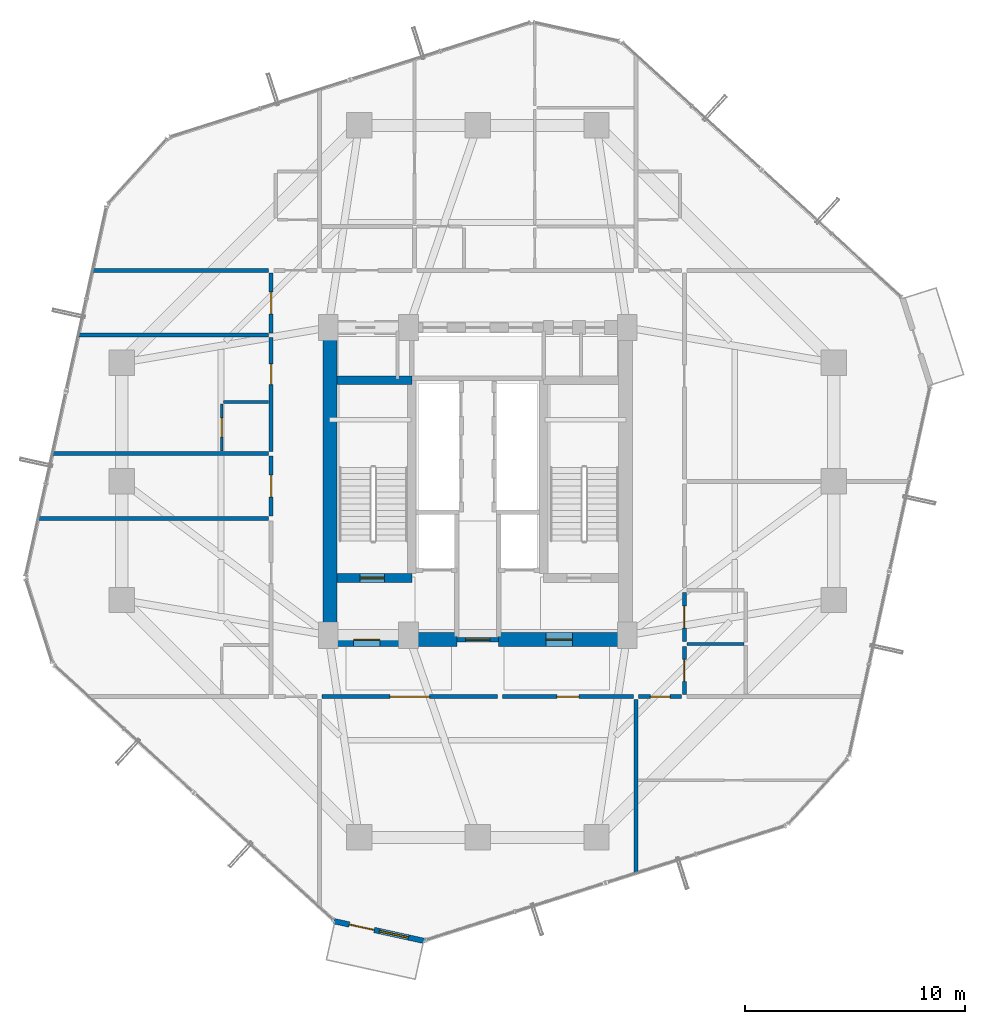
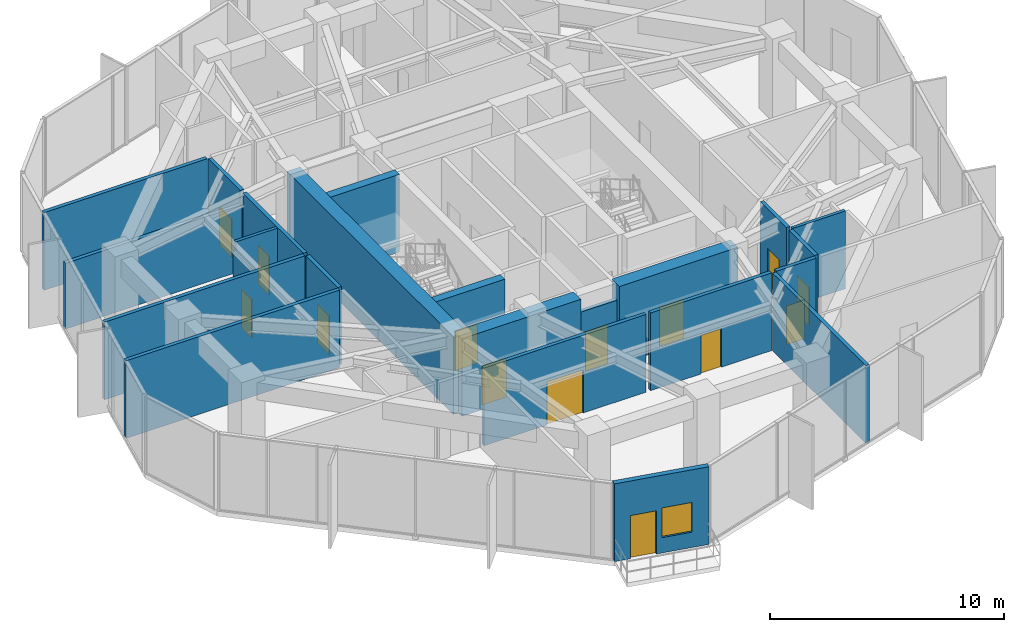
# One storey, part 23 of 28: 23 walls, 14 doors, 1 window, 15 openings.
"""IFC4 building model written with IfcOpenShell, lengths in metres."""

from ifc_helpers import new_model, si_unit, direction, frame, frame_2d, origin, place, context, subcontext, project, spatial, rectangle, extrude, source, transform, mapped, material, layer, layer_set, type_object, element, fill, save


model = new_model("IFC4")

# Units and contexts
model_context = context("Model", 3, precision=1e-05, world=origin(), true_north=direction((0.0, 1.0)))
body_context = subcontext(model_context, "Body", "Model", "MODEL_VIEW")
ifc_project = project(units=[si_unit("LENGTHUNIT", "METRE"), si_unit("AREAUNIT", "SQUARE_METRE"), si_unit("VOLUMEUNIT", "CUBIC_METRE"), si_unit("PLANEANGLEUNIT", "RADIAN"), si_unit("MASSUNIT", "GRAM", prefix="KILO")], contexts=[model_context])

# Site, building, storey
site_placement = place(None, origin())
site = spatial("IfcSite", under=ifc_project, at=site_placement, CompositionType="ELEMENT")
building_placement = place(site_placement, origin())
building = spatial("IfcBuilding", under=site, at=building_placement, Name="Veraguas Prism Commons", CompositionType="ELEMENT")
storey_placement = place(building_placement, frame((0.0, 0.0, 85.14990234375)))
storey = spatial("IfcBuildingStorey", under=building, at=storey_placement, Name="L23", CompositionType="ELEMENT", Elevation=85.14990234375)

# Wall, opening, door
ifc_material_1 = material(Name="Concrete C50/60", Category="concrete")
ifc_layer_1 = layer(ifc_material_1, 0.39990234375, Name="Clinic and Mid Core Shear Wall RC 400", Category="concrete")
ifc_layer_set_1 = layer_set([ifc_layer_1], Name="Concrete C50/60")
wall_type_1 = type_object("IfcWallType", Name="Clinic and Mid Core Shear Wall RC 400", PredefinedType="SHEAR", material=ifc_layer_set_1)
wall_1_placement = place(storey_placement, frame((17.60009765625, 19.60009765625, 0.0), z_axis=(0.0, 0.0, 1.0), x_axis=(1.0, 0.0, 0.0)))
wall_1 = element("IfcWall", 1, at=wall_1_placement, inside=storey, type_object=wall_type_1, Name="Stair ST-01 South Shear Wall L23", PredefinedType="SHEAR", context=body_context, shape_type="SweptSolid", body=[
    extrude(rectangle(XDim=3.39990234375, YDim=0.39990234375, at=frame_2d((1.699951171875, 0.0))), origin(), (0.0, 0.0, 1.0), 4.050048828125),
])
opening_1_placement = place(wall_1_placement, frame((1.050048828125, 0.0, 0.0)))
opening_1 = element("IfcOpeningElement", 2, at=opening_1_placement, cuts=wall_1, Name="Opening DR-05", PredefinedType="OPENING", context=body_context, shape_type="SweptSolid", body=[
    extrude(rectangle(XDim=1.10009765625, YDim=2.030029296875, at=frame_2d((0.550048828125, 1.01513671875))), frame((0.0, 0.2099609375, 0.0), z_axis=(0.0, -1.0, 0.0), x_axis=(1.0, 0.0, 0.0)), (0.0, 0.0, 1.0), 0.419921875),
])
ifc_material_2 = material(Name="Steel fire-rated door assembly", Category="steel")
door_type_1 = type_object("IfcDoorType", Name="Protected Stair and Refuge Fire Door 1100x2030", OperationType="NOTDEFINED", PredefinedType="DOOR", material=ifc_material_2)
shared_shape_1 = source(origin(), body_context, "Body", "SweptSolid", [
    extrude(rectangle(XDim=1.10009765625, YDim=2.030029296875, at=frame_2d((0.550048828125, 1.01513671875))), frame((0.0, 0.02490234375, 0.0), z_axis=(0.0, -1.0, 0.0), x_axis=(1.0, 0.0, 0.0)), (0.0, 0.0, 1.0), 0.050048828125),
])
door_1_placement = place(opening_1_placement, origin())
door_1 = element("IfcDoor", 3, at=door_1_placement, inside=storey, type_object=door_type_1, Name="Stair ST-01 Enclosure Door L23", OperationType="SINGLE_SWING_LEFT", OverallHeight=2.030029296875, OverallWidth=1.10009765625, PredefinedType="DOOR", context=body_context, shape_type="MappedRepresentation", body=[
    mapped(shared_shape_1, transform((0.0, 0.0, 0.0), scale=1.0)),
])
fill(opening_1, door_1)

# Walls
wall_2_placement = place(storey_placement, frame((17.60009765625, 28.60009765625, 0.0), z_axis=(0.0, 0.0, 1.0), x_axis=(1.0, 0.0, 0.0)))
element("IfcWall", 4, at=wall_2_placement, inside=storey, type_object=wall_type_1, Name="Stair ST-01 North Shear Wall L23", PredefinedType="SHEAR", context=body_context, shape_type="SweptSolid", body=[
    extrude(rectangle(XDim=3.39990234375, YDim=0.39990234375, at=frame_2d((1.699951171875, 0.0))), origin(), (0.0, 0.0, 1.0), 4.050048828125),
])
ifc_material_3 = material(Name="Concrete C55/67", Category="concrete")
ifc_layer_2 = layer(ifc_material_3, 0.64990234375, Name="Core Outer Shear Wall Mid RC 650", Category="concrete")
ifc_layer_set_2 = layer_set([ifc_layer_2], Name="Concrete C55/67")
wall_type_2 = type_object("IfcWallType", Name="Core Outer Shear Wall Mid RC 650", PredefinedType="SHEAR", material=ifc_layer_set_2)
wall_3_placement = place(storey_placement, frame((17.27490234375, 16.800048828125, 0.0), z_axis=(0.0, 0.0, 1.0), x_axis=(0.0, 1.0, 0.0)))
element("IfcWall", 5, at=wall_3_placement, inside=storey, type_object=wall_type_2, Name="Central Core West Shear Wall L23", PredefinedType="SHEAR", context=body_context, shape_type="SweptSolid", body=[
    extrude(rectangle(XDim=14.199951171875, YDim=0.64990234375, at=frame_2d((7.10009765625, 0.0))), origin(), (0.0, 0.0, 1.0), 4.050048828125),
])

# Wall, opening, door
wall_4_placement = place(storey_placement, frame((17.199951171875, 16.800048828125, 0.0), z_axis=(0.0, 0.0, 1.0), x_axis=(1.0, 0.0, 0.0)))
wall_4 = element("IfcWall", 6, at=wall_4_placement, inside=storey, type_object=wall_type_2, Name="Central Core South-West Shear Wall L23", PredefinedType="SHEAR", context=body_context, shape_type="SweptSolid", body=[
    extrude(rectangle(XDim=5.85009765625, YDim=0.64990234375, at=frame_2d((2.925048828125, 0.0))), origin(), (0.0, 0.0, 1.0), 4.050048828125),
])
opening_2_placement = place(wall_4_placement, frame((1.14990234375, 0.0, 0.0)))
opening_2 = element("IfcOpeningElement", 7, at=opening_2_placement, cuts=wall_4, Name="Opening DR-06", PredefinedType="OPENING", context=body_context, shape_type="SweptSolid", body=[
    extrude(rectangle(XDim=1.199951171875, YDim=2.030029296875, at=frame_2d((0.60009765625, 1.01513671875))), frame((0.0, 0.3349609375, 0.0), z_axis=(0.0, -1.0, 0.0), x_axis=(1.0, 0.0, 0.0)), (0.0, 0.0, 1.0), 0.669921875),
])
door_type_2 = type_object("IfcDoorType", Name="Firefighting Lobby Smoke Door 1200x2030", OperationType="NOTDEFINED", PredefinedType="DOOR", material=ifc_material_2)
shared_shape_2 = source(origin(), body_context, "Body", "SweptSolid", [
    extrude(rectangle(XDim=1.199951171875, YDim=2.030029296875, at=frame_2d((0.60009765625, 1.01513671875))), frame((0.0, 0.02490234375, 0.0), z_axis=(0.0, -1.0, 0.0), x_axis=(1.0, 0.0, 0.0)), (0.0, 0.0, 1.0), 0.050048828125),
])
door_2_placement = place(opening_2_placement, origin())
door_2 = element("IfcDoor", 8, at=door_2_placement, inside=storey, type_object=door_type_2, Name="West FF Lobby Door L23", OperationType="SINGLE_SWING_LEFT", OverallHeight=2.030029296875, OverallWidth=1.199951171875, PredefinedType="DOOR", context=body_context, shape_type="MappedRepresentation", body=[
    mapped(shared_shape_2, transform((0.0, 0.0, 0.0), scale=1.0)),
])
fill(opening_2, door_2)

wall_5_placement = place(storey_placement, frame((24.949951171875, 16.800048828125, 0.0), z_axis=(0.0, 0.0, 1.0), x_axis=(1.0, 0.0, 0.0)))
wall_5 = element("IfcWall", 9, at=wall_5_placement, inside=storey, type_object=wall_type_2, Name="Central Core South-East Shear Wall L23", PredefinedType="SHEAR", context=body_context, shape_type="SweptSolid", body=[
    extrude(rectangle(XDim=5.85009765625, YDim=0.64990234375, at=frame_2d((2.925048828125, 0.0))), origin(), (0.0, 0.0, 1.0), 4.050048828125),
])
opening_3_placement = place(wall_5_placement, frame((2.14990234375, 0.0, 0.0)))
opening_3 = element("IfcOpeningElement", 10, at=opening_3_placement, cuts=wall_5, Name="Opening DR-06", PredefinedType="OPENING", context=body_context, shape_type="SweptSolid", body=[
    extrude(rectangle(XDim=1.199951171875, YDim=2.030029296875, at=frame_2d((0.60009765625, 1.01513671875))), frame((0.0, 0.3349609375, 0.0), z_axis=(0.0, -1.0, 0.0), x_axis=(1.0, 0.0, 0.0)), (0.0, 0.0, 1.0), 0.669921875),
])
door_3_placement = place(opening_3_placement, origin())
door_3 = element("IfcDoor", 11, at=door_3_placement, inside=storey, type_object=door_type_2, Name="East FF Lobby Door L23", OperationType="SINGLE_SWING_LEFT", OverallHeight=2.030029296875, OverallWidth=1.199951171875, PredefinedType="DOOR", context=body_context, shape_type="MappedRepresentation", body=[
    mapped(shared_shape_2, transform((0.0, 0.0, 0.0), scale=1.0)),
])
fill(opening_3, door_3)

# Wall
ifc_material_4 = material(Name="Autoclaved aerated masonry block 10 MPa", Category="masonry")
ifc_layer_3 = layer(ifc_material_4, 0.179931640625, Name="Corridor and Inter-Tenancy Partition 180", Category="masonry")
ifc_layer_set_3 = layer_set([ifc_layer_3], Name="Autoclaved aerated masonry block 10 MPa")
wall_type_3 = type_object("IfcWallType", Name="Corridor and Inter-Tenancy Partition 180", PredefinedType="PARTITIONING", material=ifc_layer_set_3)
wall_6_placement = place(storey_placement, frame((31.199951171875, 14.080078125, 0.0), z_axis=(0.0, 0.0, 1.0), x_axis=(0.0, -1.0, 0.0)))
element("IfcWall", 12, at=wall_6_placement, inside=storey, type_object=wall_type_3, Name="WL-L23-PT002", PredefinedType="PARTITIONING", context=body_context, shape_type="SweptSolid", body=[
    extrude(rectangle(XDim=7.950927734375, YDim=0.179931640625, at=frame_2d((3.9755859375, 0.0))), origin(), (0.0, 0.0, 1.0), 4.050048828125),
])

# Wall, opening, door
wall_7_placement = place(storey_placement, frame((16.909912109375, 14.199951171875, 0.0), z_axis=(0.0, 0.0, 1.0), x_axis=(1.0, 0.0, 0.0)))
wall_7 = element("IfcWall", 13, at=wall_7_placement, inside=storey, type_object=wall_type_3, Name="WL-L23-PT003", PredefinedType="PARTITIONING", context=body_context, shape_type="SweptSolid", body=[
    extrude(rectangle(XDim=7.988037109375, YDim=0.179931640625, at=frame_2d((3.994140625, 0.0))), origin(), (0.0, 0.0, 1.0), 4.050048828125),
])
opening_4_placement = place(wall_7_placement, frame((3.093994140625, 0.0, 0.0)))
opening_4 = element("IfcOpeningElement", 14, at=opening_4_placement, cuts=wall_7, Name="Opening DR-07", PredefinedType="OPENING", context=body_context, shape_type="SweptSolid", body=[
    extrude(rectangle(XDim=1.800048828125, YDim=2.25, at=frame_2d((0.89990234375, 1.125))), frame((0.0, 0.099853515625, 0.0), z_axis=(0.0, -1.0, 0.0), x_axis=(1.0, 0.0, 0.0)), (0.0, 0.0, 1.0), 0.199951171875),
])
door_type_3 = type_object("IfcDoorType", Name="Corridor Double Fire Door 1800x2250", OperationType="NOTDEFINED", PredefinedType="DOOR", material=ifc_material_2)
shared_shape_3 = source(origin(), body_context, "Body", "SweptSolid", [
    extrude(rectangle(XDim=1.800048828125, YDim=2.25, at=frame_2d((0.89990234375, 1.125))), frame((0.0, 0.02490234375, 0.0), z_axis=(0.0, -1.0, 0.0), x_axis=(1.0, 0.0, 0.0)), (0.0, 0.0, 1.0), 0.050048828125),
])
door_4_placement = place(opening_4_placement, origin())
door_4 = element("IfcDoor", 15, at=door_4_placement, inside=storey, type_object=door_type_3, Name="Sky Lobby and Observation Concourse L23 Door 1", OperationType="SINGLE_SWING_LEFT", OverallHeight=2.25, OverallWidth=1.800048828125, PredefinedType="DOOR", context=body_context, shape_type="MappedRepresentation", body=[
    mapped(shared_shape_3, transform((0.0, 0.0, 0.0), scale=1.0)),
])
fill(opening_4, door_4)

wall_8_placement = place(storey_placement, frame((25.117919921875, 14.199951171875, 0.0), z_axis=(0.0, 0.0, 1.0), x_axis=(1.0, 0.0, 0.0)))
wall_8 = element("IfcWall", 16, at=wall_8_placement, inside=storey, type_object=wall_type_3, Name="WL-L23-PT004", PredefinedType="PARTITIONING", context=body_context, shape_type="SweptSolid", body=[
    extrude(rectangle(XDim=5.97216796875, YDim=0.179931640625, at=frame_2d((2.986083984375, 0.0))), origin(), (0.0, 0.0, 1.0), 4.050048828125),
])
opening_5_placement = place(wall_8_placement, frame((2.486083984375, 0.0, 0.0)))
opening_5 = element("IfcOpeningElement", 17, at=opening_5_placement, cuts=wall_8, Name="Opening DR-13", PredefinedType="OPENING", context=body_context, shape_type="SweptSolid", body=[
    extrude(rectangle(XDim=1.0, YDim=2.010009765625, at=frame_2d((0.5, 1.0048828125))), frame((0.0, 0.099853515625, 0.0), z_axis=(0.0, -1.0, 0.0), x_axis=(1.0, 0.0, 0.0)), (0.0, 0.0, 1.0), 0.199951171875),
])
door_type_4 = type_object("IfcDoorType", Name="Core Accessible WC and Clinic Fire Door 1000x2010", OperationType="NOTDEFINED", PredefinedType="DOOR", material=ifc_material_2)
shared_shape_4 = source(origin(), body_context, "Body", "SweptSolid", [
    extrude(rectangle(XDim=1.0, YDim=2.010009765625, at=frame_2d((0.5, 1.0048828125))), frame((0.0, 0.02490234375, 0.0), z_axis=(0.0, -1.0, 0.0), x_axis=(1.0, 0.0, 0.0)), (0.0, 0.0, 1.0), 0.050048828125),
])
door_5_placement = place(opening_5_placement, origin())
door_5 = element("IfcDoor", 18, at=door_5_placement, inside=storey, type_object=door_type_4, Name="Sky Lobby and Observation Concourse L23 Door 2", OperationType="SINGLE_SWING_RIGHT", OverallHeight=2.010009765625, OverallWidth=1.0, PredefinedType="DOOR", context=body_context, shape_type="MappedRepresentation", body=[
    mapped(shared_shape_4, transform((0.0, 0.0, 0.0), scale=1.0)),
])
fill(opening_5, door_5)

# Wall
wall_9_placement = place(storey_placement, frame((14.47998046875, 33.60009765625, 0.0), z_axis=(0.0, 0.0, 1.0), x_axis=(-1.0, 0.0, 0.0)))
element("IfcWall", 19, at=wall_9_placement, inside=storey, type_object=wall_type_3, Name="WL-L23-PT020", PredefinedType="PARTITIONING", context=body_context, shape_type="SweptSolid", body=[
    extrude(rectangle(XDim=8.044677734375, YDim=0.179931640625, at=frame_2d((4.0224609375, 0.0))), origin(), (0.0, 0.0, 1.0), 4.050048828125),
])

# Wall, opening, door
wall_10_placement = place(storey_placement, frame((14.60009765625, 22.41796875, 0.0), z_axis=(0.0, 0.0, 1.0), x_axis=(0.0, 1.0, 0.0)))
wall_10 = element("IfcWall", 20, at=wall_10_placement, inside=storey, type_object=wall_type_3, Name="WL-L23-PT021", PredefinedType="PARTITIONING", context=body_context, shape_type="SweptSolid", body=[
    extrude(rectangle(XDim=2.72998046875, YDim=0.179931640625, at=frame_2d((1.364990234375, 0.0))), origin(), (0.0, 0.0, 1.0), 4.050048828125),
])
opening_6_placement = place(wall_10_placement, frame((0.864990234375, 0.0, 0.0)))
opening_6 = element("IfcOpeningElement", 21, at=opening_6_placement, cuts=wall_10, Name="Opening DR-13", PredefinedType="OPENING", context=body_context, shape_type="SweptSolid", body=[
    extrude(rectangle(XDim=1.0, YDim=2.010009765625, at=frame_2d((0.5, 1.0048828125))), frame((0.0, 0.099853515625, 0.0), z_axis=(0.0, -1.0, 0.0), x_axis=(1.0, 0.0, 0.0)), (0.0, 0.0, 1.0), 0.199951171875),
])
door_6_placement = place(opening_6_placement, origin())
door_6 = element("IfcDoor", 22, at=door_6_placement, inside=storey, type_object=door_type_4, Name="Quiet Study W Door", OperationType="SINGLE_SWING_RIGHT", OverallHeight=2.010009765625, OverallWidth=1.0, PredefinedType="DOOR", context=body_context, shape_type="MappedRepresentation", body=[
    mapped(shared_shape_4, transform((0.0, 0.0, 0.0), scale=1.0)),
])
fill(opening_6, door_6)

# Walls
wall_11_placement = place(storey_placement, frame((14.47998046875, 22.30810546875, 0.0), z_axis=(0.0, 0.0, 1.0), x_axis=(-1.0, 0.0, 0.0)))
element("IfcWall", 23, at=wall_11_placement, inside=storey, type_object=wall_type_3, Name="WL-L23-PT022", PredefinedType="PARTITIONING", context=body_context, shape_type="SweptSolid", body=[
    extrude(rectangle(XDim=10.51904296875, YDim=0.179931640625, at=frame_2d((5.259521484375, 0.0))), origin(), (0.0, 0.0, 1.0), 4.050048828125),
])
wall_12_placement = place(storey_placement, frame((14.47998046875, 25.258056640625, 0.0), z_axis=(0.0, 0.0, 1.0), x_axis=(-1.0, 0.0, 0.0)))
element("IfcWall", 24, at=wall_12_placement, inside=storey, type_object=wall_type_3, Name="WL-L23-PT026", PredefinedType="PARTITIONING", context=body_context, shape_type="SweptSolid", body=[
    extrude(rectangle(XDim=9.87255859375, YDim=0.179931640625, at=frame_2d((4.936279296875, 0.0))), origin(), (0.0, 0.0, 1.0), 4.050048828125),
])

# Wall, opening, door
wall_13_placement = place(storey_placement, frame((14.60009765625, 30.760009765625, 0.0), z_axis=(0.0, 0.0, 1.0), x_axis=(0.0, 1.0, 0.0)))
wall_13 = element("IfcWall", 25, at=wall_13_placement, inside=storey, type_object=wall_type_3, Name="WL-L23-PT027", PredefinedType="PARTITIONING", context=body_context, shape_type="SweptSolid", body=[
    extrude(rectangle(XDim=2.72998046875, YDim=0.179931640625, at=frame_2d((1.364990234375, 0.0))), origin(), (0.0, 0.0, 1.0), 4.050048828125),
])
opening_7_placement = place(wall_13_placement, frame((0.864990234375, 0.0, 0.0)))
opening_7 = element("IfcOpeningElement", 26, at=opening_7_placement, cuts=wall_13, Name="Opening DR-13", PredefinedType="OPENING", context=body_context, shape_type="SweptSolid", body=[
    extrude(rectangle(XDim=1.0, YDim=2.010009765625, at=frame_2d((0.5, 1.0048828125))), frame((0.0, 0.099853515625, 0.0), z_axis=(0.0, -1.0, 0.0), x_axis=(1.0, 0.0, 0.0)), (0.0, 0.0, 1.0), 0.199951171875),
])
door_7_placement = place(opening_7_placement, origin())
door_7 = element("IfcDoor", 27, at=door_7_placement, inside=storey, type_object=door_type_4, Name="Quiet Study W Door", OperationType="SINGLE_SWING_LEFT", OverallHeight=2.010009765625, OverallWidth=1.0, PredefinedType="DOOR", context=body_context, shape_type="MappedRepresentation", body=[
    mapped(shared_shape_4, transform((0.0, 0.0, 0.0), scale=1.0)),
])
fill(opening_7, door_7)

# Wall
wall_14_placement = place(storey_placement, frame((14.47998046875, 30.64990234375, 0.0), z_axis=(0.0, 0.0, 1.0), x_axis=(-1.0, 0.0, 0.0)))
element("IfcWall", 28, at=wall_14_placement, inside=storey, type_object=wall_type_3, Name="WL-L23-PT028", PredefinedType="PARTITIONING", context=body_context, shape_type="SweptSolid", body=[
    extrude(rectangle(XDim=8.691162109375, YDim=0.179931640625, at=frame_2d((4.345703125, 0.0))), origin(), (0.0, 0.0, 1.0), 3.427978515625),
])

# Wall, opening, door
wall_15_placement = place(storey_placement, frame((14.60009765625, 25.367919921875, 0.0), z_axis=(0.0, 0.0, 1.0), x_axis=(0.0, 1.0, 0.0)))
wall_15 = element("IfcWall", 29, at=wall_15_placement, inside=storey, type_object=wall_type_3, Name="WL-L23-PT029", PredefinedType="PARTITIONING", context=body_context, shape_type="SweptSolid", body=[
    extrude(rectangle(XDim=5.172119140625, YDim=0.179931640625, at=frame_2d((2.5859375, 0.0))), origin(), (0.0, 0.0, 1.0), 4.050048828125),
])
opening_8_placement = place(wall_15_placement, frame((3.0283203125, 0.0, 0.0)))
opening_8 = element("IfcOpeningElement", 30, at=opening_8_placement, cuts=wall_15, Name="Opening DR-01", PredefinedType="OPENING", context=body_context, shape_type="SweptSolid", body=[
    extrude(rectangle(XDim=0.949951171875, YDim=2.02001953125, at=frame_2d((0.47509765625, 1.010009765625))), frame((0.0, 0.099853515625, 0.0), z_axis=(0.0, -1.0, 0.0), x_axis=(1.0, 0.0, 0.0)), (0.0, 0.0, 1.0), 0.199951171875),
])
ifc_material_5 = material(Name="Anodised aluminium EN AW-6063 T6", Category="aluminium")
door_type_5 = type_object("IfcDoorType", Name="Apartment Entrance Fire Door 950x2020", OperationType="NOTDEFINED", PredefinedType="DOOR", material=ifc_material_5)
shared_shape_5 = source(origin(), body_context, "Body", "SweptSolid", [
    extrude(rectangle(XDim=0.949951171875, YDim=2.02001953125, at=frame_2d((0.47509765625, 1.010009765625))), frame((0.0, 0.02490234375, 0.0), z_axis=(0.0, -1.0, 0.0), x_axis=(1.0, 0.0, 0.0)), (0.0, 0.0, 1.0), 0.050048828125),
])
door_8_placement = place(opening_8_placement, origin())
door_8 = element("IfcDoor", 31, at=door_8_placement, inside=storey, type_object=door_type_5, Name="Studio 23C Entrance Door", OperationType="SINGLE_SWING_RIGHT", OverallHeight=2.02001953125, OverallWidth=0.949951171875, PredefinedType="DOOR", context=body_context, shape_type="MappedRepresentation", body=[
    mapped(shared_shape_5, transform((0.0, 0.0, 0.0), scale=1.0)),
])
fill(opening_8, door_8)

wall_16_placement = place(storey_placement, frame((33.39990234375, 14.31005859375, 0.0), z_axis=(0.0, 0.0, 1.0), x_axis=(0.0, 1.0, 0.0)))
wall_16 = element("IfcWall", 32, at=wall_16_placement, inside=storey, type_object=wall_type_3, Name="WL-L23-PT034", PredefinedType="PARTITIONING", context=body_context, shape_type="SweptSolid", body=[
    extrude(rectangle(XDim=2.179931640625, YDim=0.179931640625, at=frame_2d((1.08984375, 0.0))), origin(), (0.0, 0.0, 1.0), 4.050048828125),
])
opening_9_placement = place(wall_16_placement, frame((0.590087890625, 0.0, 0.0)))
opening_9 = element("IfcOpeningElement", 33, at=opening_9_placement, cuts=wall_16, Name="Opening DR-13", PredefinedType="OPENING", context=body_context, shape_type="SweptSolid", body=[
    extrude(rectangle(XDim=1.0, YDim=2.010009765625, at=frame_2d((0.5, 1.0048828125))), frame((0.0, 0.099853515625, 0.0), z_axis=(0.0, -1.0, 0.0), x_axis=(1.0, 0.0, 0.0)), (0.0, 0.0, 1.0), 0.199951171875),
])
door_9_placement = place(opening_9_placement, origin())
door_9 = element("IfcDoor", 34, at=door_9_placement, inside=storey, type_object=door_type_4, Name="Public WC L23 Door", OperationType="SINGLE_SWING_RIGHT", OverallHeight=2.010009765625, OverallWidth=1.0, PredefinedType="DOOR", context=body_context, shape_type="MappedRepresentation", body=[
    mapped(shared_shape_4, transform((0.0, 0.0, 0.0), scale=1.0)),
])
fill(opening_9, door_9)

wall_17_placement = place(storey_placement, frame((33.39990234375, 16.7099609375, 0.0), z_axis=(0.0, 0.0, 1.0), x_axis=(0.0, 1.0, 0.0)))
wall_17 = element("IfcWall", 35, at=wall_17_placement, inside=storey, type_object=wall_type_3, Name="WL-L23-PT035", PredefinedType="PARTITIONING", context=body_context, shape_type="SweptSolid", body=[
    extrude(rectangle(XDim=2.22998046875, YDim=0.179931640625, at=frame_2d((1.114990234375, 0.0))), origin(), (0.0, 0.0, 1.0), 4.050048828125),
])
opening_10_placement = place(wall_17_placement, frame((0.614990234375, 0.0, 0.0)))
opening_10 = element("IfcOpeningElement", 36, at=opening_10_placement, cuts=wall_17, Name="Opening DR-13", PredefinedType="OPENING", context=body_context, shape_type="SweptSolid", body=[
    extrude(rectangle(XDim=1.0, YDim=2.010009765625, at=frame_2d((0.5, 1.0048828125))), frame((0.0, 0.099853515625, 0.0), z_axis=(0.0, -1.0, 0.0), x_axis=(1.0, 0.0, 0.0)), (0.0, 0.0, 1.0), 0.199951171875),
])
door_10_placement = place(opening_10_placement, origin())
door_10 = element("IfcDoor", 37, at=door_10_placement, inside=storey, type_object=door_type_4, Name="Accessible WC L23 Door", OperationType="SINGLE_SWING_LEFT", OverallHeight=2.010009765625, OverallWidth=1.0, PredefinedType="DOOR", context=body_context, shape_type="MappedRepresentation", body=[
    mapped(shared_shape_4, transform((0.0, 0.0, 0.0), scale=1.0)),
])
fill(opening_10, door_10)

wall_18_placement = place(storey_placement, frame((31.320068359375, 14.199951171875, 0.0), z_axis=(0.0, 0.0, 1.0), x_axis=(1.0, 0.0, 0.0)))
wall_18 = element("IfcWall", 38, at=wall_18_placement, inside=storey, type_object=wall_type_3, Name="WL-L23-PT044", PredefinedType="PARTITIONING", context=body_context, shape_type="SweptSolid", body=[
    extrude(rectangle(XDim=1.9599609375, YDim=0.179931640625, at=frame_2d((0.97998046875, 0.0))), origin(), (0.0, 0.0, 1.0), 4.050048828125),
])
opening_11_placement = place(wall_18_placement, frame((0.530029296875, 0.0, 0.0)))
opening_11 = element("IfcOpeningElement", 39, at=opening_11_placement, cuts=wall_18, Name="Opening DR-14", PredefinedType="OPENING", context=body_context, shape_type="SweptSolid", body=[
    extrude(rectangle(XDim=0.89990234375, YDim=2.010009765625, at=frame_2d((0.449951171875, 1.0048828125))), frame((0.0, 0.099853515625, 0.0), z_axis=(0.0, -1.0, 0.0), x_axis=(1.0, 0.0, 0.0)), (0.0, 0.0, 1.0), 0.199951171875),
])
door_type_6 = type_object("IfcDoorType", Name="Core Service Room Fire Door 900x2010", OperationType="NOTDEFINED", PredefinedType="DOOR", material=ifc_material_2)
shared_shape_6 = source(origin(), body_context, "Body", "SweptSolid", [
    extrude(rectangle(XDim=0.89990234375, YDim=2.010009765625, at=frame_2d((0.449951171875, 1.0048828125))), frame((0.0, 0.02490234375, 0.0), z_axis=(0.0, -1.0, 0.0), x_axis=(1.0, 0.0, 0.0)), (0.0, 0.0, 1.0), 0.050048828125),
])
door_11_placement = place(opening_11_placement, origin())
door_11 = element("IfcDoor", 40, at=door_11_placement, inside=storey, type_object=door_type_6, Name="Community Co-op Kitchen Door", OperationType="SINGLE_SWING_LEFT", OverallHeight=2.010009765625, OverallWidth=0.89990234375, PredefinedType="DOOR", context=body_context, shape_type="MappedRepresentation", body=[
    mapped(shared_shape_6, transform((0.0, 0.0, 0.0), scale=1.0)),
])
fill(opening_11, door_11)

# Wall, openings, window, door
ifc_material_6 = material(Name="Precast concrete C40/50", Category="concrete")
ifc_layer_4 = layer(ifc_material_6, 0.25, Name="External Loggia and Portal Wall 250", Category="concrete")
ifc_layer_set_4 = layer_set([ifc_layer_4], Name="Precast concrete C40/50")
wall_type_4 = type_object("IfcWallType", Name="External Loggia and Portal Wall 250", PredefinedType="SOLIDWALL", material=ifc_layer_set_4)
wall_19_placement = place(storey_placement, frame((17.44775390625, 3.987548828125, 0.0), z_axis=(0.0, 0.0, 1.0), x_axis=(0.976817927987, -0.214071800017, 0.0)))
wall_19 = element("IfcWall", 41, at=wall_19_placement, inside=storey, type_object=wall_type_4, Name="Corner Loggia Wall L23-C5", PredefinedType="SOLIDWALL", context=body_context, shape_type="SweptSolid", body=[
    extrude(rectangle(XDim=4.2333984375, YDim=0.25, at=frame_2d((2.11669921875, 0.0))), origin(), (0.0, 0.0, 1.0), 4.050048828125),
])
opening_12_placement = place(wall_19_placement, frame((0.72998046875, 0.0, 0.0)))
opening_12 = element("IfcOpeningElement", 42, at=opening_12_placement, cuts=wall_19, Name="Opening DR-10", PredefinedType="OPENING", context=body_context, shape_type="SweptSolid", body=[
    extrude(rectangle(XDim=1.14990234375, YDim=2.25, at=frame_2d((0.574951171875, 1.125))), frame((0.0, 0.135009765625, 0.0), z_axis=(0.0, -1.0, 0.0), x_axis=(1.0, 0.0, 0.0)), (0.0, 0.0, 1.0), 0.27001953125),
])
opening_13_placement = place(wall_19_placement, frame((2.1298828125, 0.0, 0.800048828125)))
opening_13 = element("IfcOpeningElement", 43, at=opening_13_placement, cuts=wall_19, Name="Opening WN-06", PredefinedType="OPENING", context=body_context, shape_type="SweptSolid", body=[
    extrude(rectangle(XDim=1.35009765625, YDim=1.550048828125, at=frame_2d((0.675048828125, 0.77490234375))), frame((0.0, 0.135009765625, 0.0), z_axis=(0.0, -1.0, 0.0), x_axis=(1.0, 0.0, 0.0)), (0.0, 0.0, 1.0), 0.27001953125),
])
ifc_material_7 = material(Name="Laminated low-e glass", Category="glass")
window_type = type_object("IfcWindowType", Name="Loggia Bedroom Side Window 1350x1550", PartitioningType="SINGLE_PANEL", PredefinedType="WINDOW", material=ifc_material_7)
shared_shape_7 = source(origin(), body_context, "Body", "SweptSolid", [
    extrude(rectangle(XDim=1.35009765625, YDim=1.550048828125, at=frame_2d((0.675048828125, 0.77490234375))), frame((0.0, 0.030029296875, 0.0), z_axis=(0.0, -1.0, 0.0), x_axis=(1.0, 0.0, 0.0)), (0.0, 0.0, 1.0), 0.06005859375),
])
window_placement = place(opening_13_placement, origin())
window = element("IfcWindow", 44, at=window_placement, inside=storey, type_object=window_type, Name="Loggia Side Window L23-C5", OverallHeight=1.550048828125, OverallWidth=1.35009765625, PartitioningType="SINGLE_PANEL", PredefinedType="WINDOW", context=body_context, shape_type="MappedRepresentation", body=[
    mapped(shared_shape_7, transform((0.0, 0.0, 0.0), scale=1.0)),
])
fill(opening_13, window)
door_type_7 = type_object("IfcDoorType", Name="Glazed Loggia and Terrace Door 1150x2250", OperationType="NOTDEFINED", PredefinedType="DOOR", material=ifc_material_5)
shared_shape_8 = source(origin(), body_context, "Body", "SweptSolid", [
    extrude(rectangle(XDim=1.14990234375, YDim=2.25, at=frame_2d((0.574951171875, 1.125))), frame((0.0, 0.02490234375, 0.0), z_axis=(0.0, -1.0, 0.0), x_axis=(1.0, 0.0, 0.0)), (0.0, 0.0, 1.0), 0.050048828125),
])
door_12_placement = place(opening_12_placement, frame((1.14990234375, 0.0, 0.0), z_axis=(0.0, 0.0, 1.0), x_axis=(-1.0, 0.0, 0.0)))
door_12 = element("IfcDoor", 45, at=door_12_placement, inside=storey, type_object=door_type_7, Name="Recessed Loggia Door L23-C5", OperationType="SINGLE_SWING_LEFT", OverallHeight=2.25, OverallWidth=1.14990234375, PredefinedType="DOOR", context=body_context, shape_type="MappedRepresentation", body=[
    mapped(shared_shape_8, transform((0.0, 0.0, 0.0), scale=1.0)),
])
fill(opening_12, door_12)

# Wall, opening, door
ifc_material_8 = material(Name="Lightweight acoustic gypsum board")
ifc_layer_5 = layer(ifc_material_8, 0.125, Name="Internal Apartment Room Partition 125")
ifc_layer_set_5 = layer_set([ifc_layer_5], Name="Lightweight acoustic gypsum board")
wall_type_5 = type_object("IfcWallType", Name="Internal Apartment Room Partition 125", PredefinedType="PARTITIONING", material=ifc_layer_set_5)
wall_20_placement = place(storey_placement, frame((12.35009765625, 25.3779296875, 0.0), z_axis=(0.0, 0.0, 1.0), x_axis=(0.0, 1.0, 0.0)))
wall_20 = element("IfcWall", 46, at=wall_20_placement, inside=storey, type_object=wall_type_5, Name="WL-L23-PT031", PredefinedType="PARTITIONING", context=body_context, shape_type="SweptSolid", body=[
    extrude(rectangle(XDim=2.150146484375, YDim=0.125, at=frame_2d((1.0751953125, 0.0))), origin(), (0.0, 0.0, 1.0), 3.630126953125),
])
opening_14_placement = place(wall_20_placement, frame((0.64501953125, 0.0, 0.0)))
opening_14 = element("IfcOpeningElement", 47, at=opening_14_placement, cuts=wall_20, Name="Opening DR-03", PredefinedType="OPENING", context=body_context, shape_type="SweptSolid", body=[
    extrude(rectangle(XDim=0.860107421875, YDim=2.010009765625, at=frame_2d((0.43017578125, 1.0048828125))), frame((0.0, 0.072509765625, 0.0), z_axis=(0.0, -1.0, 0.0), x_axis=(1.0, 0.0, 0.0)), (0.0, 0.0, 1.0), 0.14501953125),
])
ifc_material_9 = material(Name="Timber moisture-resistant leaf", Category="wood")
door_type_8 = type_object("IfcDoorType", Name="Internal Bathroom Door 860x2010", OperationType="NOTDEFINED", PredefinedType="DOOR", material=ifc_material_9)
shared_shape_9 = source(origin(), body_context, "Body", "SweptSolid", [
    extrude(rectangle(XDim=0.860107421875, YDim=2.010009765625, at=frame_2d((0.43017578125, 1.0048828125))), frame((0.0, 0.02490234375, 0.0), z_axis=(0.0, -1.0, 0.0), x_axis=(1.0, 0.0, 0.0)), (0.0, 0.0, 1.0), 0.050048828125),
])
door_13_placement = place(opening_14_placement, origin())
door_13 = element("IfcDoor", 48, at=door_13_placement, inside=storey, type_object=door_type_8, Name="Studio 23C Bathroom Door", OperationType="SINGLE_SWING_LEFT", OverallHeight=2.010009765625, OverallWidth=0.860107421875, PredefinedType="DOOR", context=body_context, shape_type="MappedRepresentation", body=[
    mapped(shared_shape_9, transform((0.0, 0.0, 0.0), scale=1.0)),
])
fill(opening_14, door_13)

ifc_layer_6 = layer(ifc_material_4, 0.199951171875, Name="Rated Shaft and Lobby Block Wall 200", Category="masonry")
ifc_layer_set_6 = layer_set([ifc_layer_6], Name="Autoclaved aerated masonry block 10 MPa")
wall_type_6 = type_object("IfcWallType", Name="Rated Shaft and Lobby Block Wall 200", PredefinedType="SOLIDWALL", material=ifc_layer_set_6)
wall_21_placement = place(storey_placement, frame((23.050048828125, 16.800048828125, 0.0), z_axis=(0.0, 0.0, 1.0), x_axis=(1.0, 0.0, 0.0)))
wall_21 = element("IfcWall", 49, at=wall_21_placement, inside=storey, type_object=wall_type_6, Name="Central Core Lobby Entrance Wall L23", PredefinedType="SOLIDWALL", context=body_context, shape_type="SweptSolid", body=[
    extrude(rectangle(XDim=1.89990234375, YDim=0.199951171875, at=frame_2d((0.949951171875, 0.0))), origin(), (0.0, 0.0, 1.0), 3.2001953125),
])
opening_15_placement = place(wall_21_placement, frame((0.39990234375, 0.0, 0.0)))
opening_15 = element("IfcOpeningElement", 50, at=opening_15_placement, cuts=wall_21, Name="Opening DR-05", PredefinedType="OPENING", context=body_context, shape_type="SweptSolid", body=[
    extrude(rectangle(XDim=1.10009765625, YDim=2.030029296875, at=frame_2d((0.550048828125, 1.01513671875))), frame((0.0, 0.10986328125, 0.0), z_axis=(0.0, -1.0, 0.0), x_axis=(1.0, 0.0, 0.0)), (0.0, 0.0, 1.0), 0.219970703125),
])
door_14_placement = place(opening_15_placement, origin())
door_14 = element("IfcDoor", 51, at=door_14_placement, inside=storey, type_object=door_type_1, Name="Central Lobby Door L23", OperationType="SINGLE_SWING_RIGHT", OverallHeight=2.030029296875, OverallWidth=1.10009765625, PredefinedType="DOOR", context=body_context, shape_type="MappedRepresentation", body=[
    mapped(shared_shape_1, transform((0.0, 0.0, 0.0), scale=1.0)),
])
fill(opening_15, door_14)

# Walls
ifc_layer_7 = layer(ifc_material_8, 0.14990234375, Name="Wet Room and Clinic Acoustic Partition 150")
ifc_layer_set_7 = layer_set([ifc_layer_7], Name="Lightweight acoustic gypsum board")
wall_type_7 = type_object("IfcWallType", Name="Wet Room and Clinic Acoustic Partition 150", PredefinedType="PARTITIONING", material=ifc_layer_set_7)
wall_22_placement = place(storey_placement, frame((14.47998046875, 27.60791015625, 0.0), z_axis=(0.0, 0.0, 1.0), x_axis=(-1.0, 0.0, 0.0)))
element("IfcWall", 52, at=wall_22_placement, inside=storey, type_object=wall_type_7, Name="WL-L23-PT030", PredefinedType="PARTITIONING", context=body_context, shape_type="SweptSolid", body=[
    extrude(rectangle(XDim=2.050048828125, YDim=0.14990234375, at=frame_2d((1.02490234375, 0.0))), origin(), (0.0, 0.0, 1.0), 4.050048828125),
])
wall_23_placement = place(storey_placement, frame((33.52001953125, 16.60009765625, 0.0), z_axis=(0.0, 0.0, 1.0), x_axis=(1.0, 0.0, 0.0)))
element("IfcWall", 53, at=wall_23_placement, inside=storey, type_object=wall_type_7, Name="WL-L23-PT038", PredefinedType="PARTITIONING", context=body_context, shape_type="SweptSolid", body=[
    extrude(rectangle(XDim=2.60009765625, YDim=0.14990234375, at=frame_2d((1.300048828125, 0.0))), origin(), (0.0, 0.0, 1.0), 4.050048828125),
])

save(model, "model.ifc")
